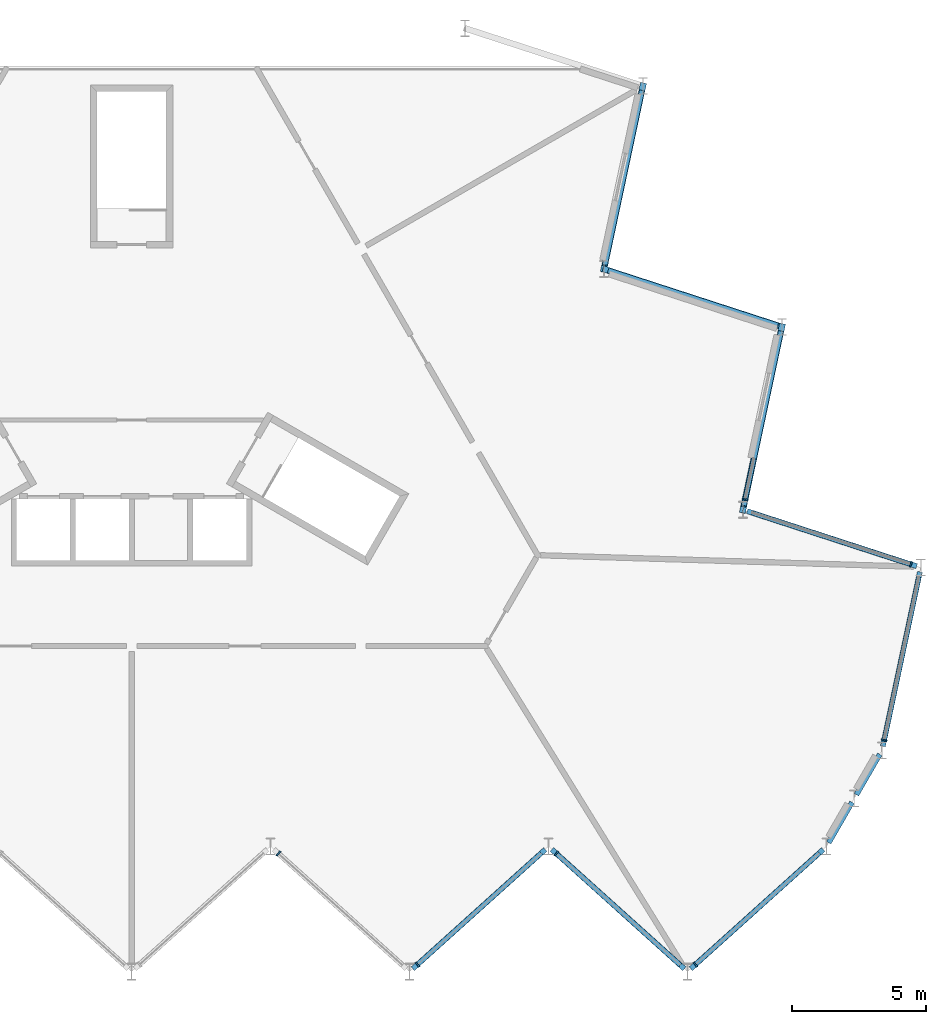
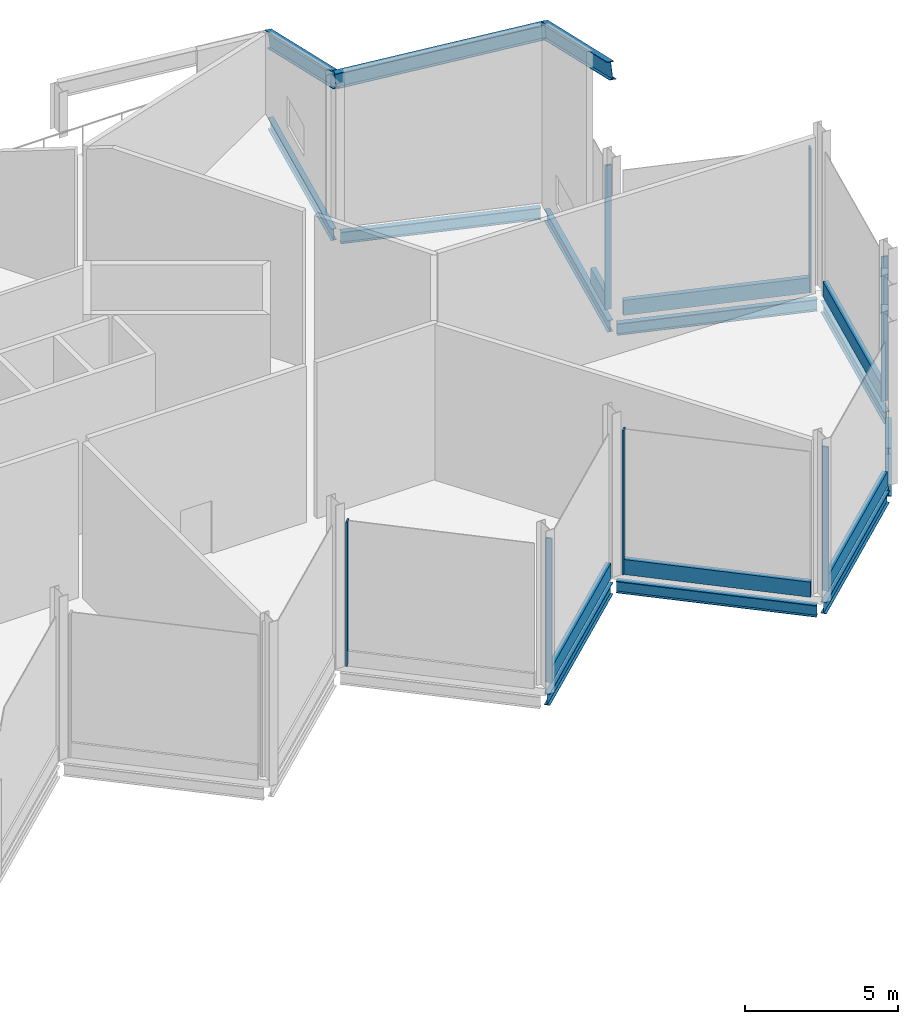
# One storey, part 6 of 10: 16 members, 10 beams, 7 elements without a shape of their own.
"""IFC4 building model written with IfcOpenShell, lengths in metres."""

from ifc_helpers import new_model, si_unit, direction, frame, origin, origin_2d, place, context, subcontext, project, spatial, rectangle, i_section, extrude, material, layer, layer_set, material_profile, profile_set, type_object, element, aggregate, save


model = new_model("IFC4")

# Units and contexts
model_context = context("Model", 3, precision=1e-05, world=origin(), true_north=direction((0.0, 1.0)))
body_context = subcontext(model_context, "Body", "Model", "MODEL_VIEW")
ifc_project = project(units=[si_unit("LENGTHUNIT", "METRE"), si_unit("AREAUNIT", "SQUARE_METRE"), si_unit("VOLUMEUNIT", "CUBIC_METRE"), si_unit("PLANEANGLEUNIT", "RADIAN"), si_unit("MASSUNIT", "GRAM", prefix="KILO")], contexts=[model_context])

# Site, building, storey
site_placement = place(None, origin())
site = spatial("IfcSite", under=ifc_project, at=site_placement, CompositionType="ELEMENT")
building_placement = place(site_placement, origin())
building = spatial("IfcBuilding", under=site, at=building_placement, Name="Cormorant Prow Tower", CompositionType="ELEMENT")
storey_placement = place(building_placement, frame((0.0, 0.0, 441.199951171875)))
storey = spatial("IfcBuildingStorey", under=building, at=storey_placement, Name="L98", CompositionType="ELEMENT", Elevation=441.199951171875)

# Members
ifc_material_1 = material(Name="Structural steel ASTM A992 Gr 50", Category="steel")
ifc_material_profile_1 = material_profile(ifc_material_1, i_section(OverallWidth=0.22900390625, OverallDepth=0.612060546875, WebThickness=0.011962890625, FlangeThickness=0.01953125, at=origin_2d()), Name="W24x84")
ifc_profile_set_1 = profile_set([ifc_material_profile_1], Name="Structural steel ASTM A992 Gr 50")
member_type_1 = type_object("IfcMemberType", Name="Crown frame edge member W24x84", PredefinedType="USERDEFINED", material=ifc_profile_set_1)
member_1_placement = place(storey_placement, frame((24.32861328125, 2.037353515625, 6.68896484375), z_axis=(-0.94228602801, 0.306144437011, -0.135545656902), x_axis=(-0.308996131046, -0.951063294949, 0.0)))
element("IfcMember", 1, at=member_1_placement, inside=storey, type_object=member_type_1, Name="Crown frame edge member CF3 ENE03-ENE04", ObjectType="CROWN FRAME", PredefinedType="USERDEFINED", context=body_context, shape_type="SweptSolid", body=[
    extrude(i_section(OverallWidth=0.22900390625, OverallDepth=0.612060546875, WebThickness=0.011962890625, FlangeThickness=0.01953125, at=origin_2d()), origin(), (0.0, 0.0, 1.0), 7.0625),
])
ifc_material_2 = material(Name="Structural steel ASTM A992 Gr 50", Category="steel")
ifc_material_profile_2 = material_profile(ifc_material_2, i_section(OverallWidth=0.22900390625, OverallDepth=0.612060546875, WebThickness=0.011962890625, FlangeThickness=0.01953125, at=origin_2d()), Name="W24x84")
ifc_profile_set_2 = profile_set([ifc_material_profile_2], Name="Structural steel ASTM A992 Gr 50")
member_type_2 = type_object("IfcMemberType", Name="Crown frame rafter W24x84", PredefinedType="RAFTER", material=ifc_profile_set_2)
for number, where, z_axis, x_axis, name in (
    (2, (22.873779296875, -4.80712890625, 9.732177734375), (0.190791444748, 0.897606671171, -0.397367447687), (-0.978147765396, 0.20791091614, 0.0), "Crown frame rafter CF2 ENE02-ENE03"),
    (3, (17.673828125, 4.199462890625, 5.744873046875), (0.190789017322, 0.897595250987, -0.397394408962), (-0.978147765396, 0.20791091614, 0.0), "Crown frame rafter CF2 ENE04-ENE05"),
):
    element("IfcMember", number, at=place(storey_placement, frame(where, z_axis=z_axis, x_axis=x_axis)), inside=storey, type_object=member_type_2, Name=name, PredefinedType="RAFTER", context=body_context, shape_type="SweptSolid", body=[
        extrude(i_section(OverallWidth=0.22900390625, OverallDepth=0.612060546875, WebThickness=0.011962890625, FlangeThickness=0.01953125, at=origin_2d()), origin(), (0.0, 0.0, 1.0), 7.625244140625),
    ])

# Curtain wall, member
ifc_material_3 = material(Name="Aluminium 6063-T6", Category="aluminium")
ifc_layer = layer(ifc_material_3, 0.219970703125)
ifc_layer_set = layer_set([ifc_layer], Name="Aluminium 6063-T6")
curtain_wall_type = type_object("IfcCurtainWallType", Name="Crown unitised curtain wall 220", PredefinedType="NOTDEFINED", material=ifc_layer_set)
curtain_wall_1_placement = place(storey_placement, origin())
curtain_wall_1 = element("IfcCurtainWall", 4, at=curtain_wall_1_placement, inside=storey, type_object=curtain_wall_type, Name="Crown curtain wall crown S06", PredefinedType="NOTDEFINED")
ifc_material_4 = material(Name="Aluminium 6063-T6", Category="aluminium")
ifc_material_profile_3 = material_profile(ifc_material_4, rectangle(XDim=0.219970703125, YDim=0.06005859375, at=origin_2d()), Name="Crown mullion 60x220")
ifc_profile_set_3 = profile_set([ifc_material_profile_3], Name="Aluminium 6063-T6")
member_type_3 = type_object("IfcMemberType", Name="Crown mullion 60x220", PredefinedType="MULLION", material=ifc_profile_set_3)
member_2_placement = place(storey_placement, frame((5.494384765625, -17.670654296875, 0.0), z_axis=(0.0, 0.0, 1.0), x_axis=(0.669130603959, 0.743144827638, 0.0)))
member_2 = element("IfcMember", 5, at=member_2_placement, type_object=member_type_3, Name="Crown mullion crown S06", PredefinedType="MULLION", context=body_context, shape_type="SweptSolid", body=[
    extrude(rectangle(XDim=0.219970703125, YDim=0.06005859375, at=origin_2d()), origin(), (0.0, 0.0, 1.0), 5.73388671875),
])
aggregate(curtain_wall_1, [member_2])

curtain_wall_2_placement = place(storey_placement, origin())
curtain_wall_2 = element("IfcCurtainWall", 6, at=curtain_wall_2_placement, inside=storey, type_object=curtain_wall_type, Name="Crown curtain wall crown S07", PredefinedType="NOTDEFINED")
member_3_placement = place(storey_placement, frame((10.6943359375, -21.82275390625, 0.0), z_axis=(0.0, 0.0, 1.0), x_axis=(-0.669130603959, 0.743144827638, 0.0)))
member_3 = element("IfcMember", 7, at=member_3_placement, type_object=member_type_3, Name="Crown mullion crown S07", PredefinedType="MULLION", context=body_context, shape_type="SweptSolid", body=[
    extrude(rectangle(XDim=0.219970703125, YDim=0.06005859375, at=origin_2d()), origin(), (0.0, 0.0, 1.0), 5.73388671875),
])

curtain_wall_3_placement = place(storey_placement, origin())
curtain_wall_3 = element("IfcCurtainWall", 8, at=curtain_wall_3_placement, inside=storey, type_object=curtain_wall_type, Name="Crown curtain wall crown S08", PredefinedType="NOTDEFINED")
member_4_placement = place(storey_placement, frame((15.894287109375, -17.670654296875, 0.0), z_axis=(0.0, 0.0, 1.0), x_axis=(0.669130603959, 0.743144827638, 0.0)))
member_4 = element("IfcMember", 9, at=member_4_placement, type_object=member_type_3, Name="Crown mullion crown S08", PredefinedType="MULLION", context=body_context, shape_type="SweptSolid", body=[
    extrude(rectangle(XDim=0.219970703125, YDim=0.06005859375, at=origin_2d()), origin(), (0.0, 0.0, 1.0), 5.73388671875),
])

curtain_wall_4_placement = place(storey_placement, origin())
curtain_wall_4 = element("IfcCurtainWall", 10, at=curtain_wall_4_placement, inside=storey, type_object=curtain_wall_type, Name="Crown curtain wall crown S09", PredefinedType="NOTDEFINED")
member_5_placement = place(storey_placement, frame((21.09423828125, -21.82275390625, 0.0), z_axis=(0.0, 0.0, 1.0), x_axis=(-0.669130603959, 0.743144827638, 0.0)))
member_5 = element("IfcMember", 11, at=member_5_placement, type_object=member_type_3, Name="Crown mullion crown S09", PredefinedType="MULLION", context=body_context, shape_type="SweptSolid", body=[
    extrude(rectangle(XDim=0.219970703125, YDim=0.06005859375, at=origin_2d()), origin(), (0.0, 0.0, 1.0), 5.73388671875),
])

curtain_wall_5_placement = place(storey_placement, origin())
curtain_wall_5 = element("IfcCurtainWall", 12, at=curtain_wall_5_placement, inside=storey, type_object=curtain_wall_type, Name="Crown curtain wall crown ENE00", PredefinedType="NOTDEFINED")
member_6_placement = place(storey_placement, frame((28.15625, -13.426513671875, 0.0), z_axis=(0.0, 0.0, 1.0), x_axis=(-0.978147615768, 0.207911620089, 0.0)))
member_6 = element("IfcMember", 13, at=member_6_placement, type_object=member_type_3, Name="Crown mullion crown ENE00", PredefinedType="MULLION", context=body_context, shape_type="SweptSolid", body=[
    extrude(rectangle(XDim=0.219970703125, YDim=0.06005859375, at=origin_2d()), origin(), (0.0, 0.0, 1.0), 5.73388671875),
])

curtain_wall_6_placement = place(storey_placement, origin())
curtain_wall_6 = element("IfcCurtainWall", 14, at=curtain_wall_6_placement, inside=storey, type_object=curtain_wall_type, Name="Crown curtain wall crown ENE01", PredefinedType="NOTDEFINED")
member_7_placement = place(storey_placement, frame((29.152099609375, -6.846923828125, 0.0), z_axis=(0.0, 0.0, 1.0), x_axis=(-0.309016937108, -0.951056534902, 0.0)))
member_7 = element("IfcMember", 15, at=member_7_placement, type_object=member_type_3, Name="Crown mullion crown ENE01", PredefinedType="MULLION", context=body_context, shape_type="SweptSolid", body=[
    extrude(rectangle(XDim=0.219970703125, YDim=0.06005859375, at=origin_2d()), origin(), (0.0, 0.0, 1.0), 5.73388671875),
])

curtain_wall_7_placement = place(storey_placement, origin())
curtain_wall_7 = element("IfcCurtainWall", 16, at=curtain_wall_7_placement, inside=storey, type_object=curtain_wall_type, Name="Crown curtain wall crown ENE02", PredefinedType="NOTDEFINED")
member_8_placement = place(storey_placement, frame((22.9560546875, -4.419677734375, 0.0), z_axis=(0.0, 0.0, 1.0), x_axis=(-0.978147615768, 0.207911620089, 0.0)))
member_8 = element("IfcMember", 17, at=member_8_placement, type_object=member_type_3, Name="Crown mullion crown ENE02", PredefinedType="MULLION", context=body_context, shape_type="SweptSolid", body=[
    extrude(rectangle(XDim=0.219970703125, YDim=0.06005859375, at=origin_2d()), origin(), (0.0, 0.0, 1.0), 5.73388671875),
])

# Beams
ifc_material_5 = material(Name="Structural steel ASTM A992 Gr 50", Category="steel")
ifc_material_profile_4 = material_profile(ifc_material_5, i_section(OverallWidth=0.19287109375, OverallDepth=0.466064453125, WebThickness=0.011474609375, FlangeThickness=0.01904296875, at=origin_2d()), Name="W18x65")
ifc_profile_set_4 = profile_set([ifc_material_profile_4], Name="Structural steel ASTM A992 Gr 50")
beam_type = type_object("IfcBeamType", Name="Crown ring beam W18x65", PredefinedType="SPANDREL", material=ifc_profile_set_4)
beam_1_placement = place(storey_placement, frame((10.521240234375, -21.978515625, -0.532958984375), z_axis=(0.743155826906, 0.669118387832, 0.0), x_axis=(-0.669118387832, 0.743155826906, 0.0)))
element("IfcBeam", 18, at=beam_1_placement, inside=storey, type_object=beam_type, Name="Crown ring beam SB5 S07-S08 L98", PredefinedType="SPANDREL", context=body_context, shape_type="SweptSolid", body=[
    extrude(i_section(OverallWidth=0.19287109375, OverallDepth=0.466064453125, WebThickness=0.011474609375, FlangeThickness=0.01904296875, at=origin_2d()), origin(), (0.0, 0.0, 1.0), 6.6708984375),
])
for number, where, z_axis, x_axis, name in (
    (19, (15.721435546875, -17.514892578125, -0.532958984375), (0.743139440672, -0.669136586743, 0.0), (0.669136586743, 0.743139440672, 0.0), "Crown ring beam SB5 S08-S09 L98"),
    (20, (20.92138671875, -21.978515625, -0.532958984375), (0.743139440672, 0.669136586743, 0.0), (-0.669136586743, 0.743139440672, 0.0), "Crown ring beam SB5 S09-ESE00 L98"),
):
    element("IfcBeam", number, at=place(storey_placement, frame(where, z_axis=z_axis, x_axis=x_axis)), inside=storey, type_object=beam_type, Name=name, PredefinedType="SPANDREL", context=body_context, shape_type="SweptSolid", body=[
        extrude(i_section(OverallWidth=0.19287109375, OverallDepth=0.466064453125, WebThickness=0.011474609375, FlangeThickness=0.01904296875, at=origin_2d()), origin(), (0.0, 0.0, 1.0), 6.670654296875),
    ])
for number, where, z_axis, x_axis, name in (
    (21, (26.08154296875, -17.264404296875, -0.532958984375), (0.500061095026, 0.865990127681, 0.0), (-0.865990127681, 0.500061095026, 0.0), "Crown ring beam SB5 ESE00-ESE01 L98"),
    (22, (27.118408203125, -15.46826171875, -0.532958984375), (0.500061095026, 0.865990127681, 0.0), (-0.865990127681, 0.500061095026, 0.0), "Crown ring beam SB5 ESE01-ENE00 L98"),
):
    element("IfcBeam", number, at=place(storey_placement, frame(where, z_axis=z_axis, x_axis=x_axis)), inside=storey, type_object=beam_type, Name=name, PredefinedType="SPANDREL", context=body_context, shape_type="SweptSolid", body=[
        extrude(i_section(OverallWidth=0.19287109375, OverallDepth=0.466064453125, WebThickness=0.011474609375, FlangeThickness=0.01904296875, at=origin_2d()), origin(), (0.0, 0.0, 1.0), 1.747314453125),
    ])
for number, where, z_axis, x_axis, name in (
    (23, (28.107666015625, -13.654052734375, -0.532958984375), (0.207919161079, 0.978146012851, 0.0), (-0.978146012851, 0.207919161079, 0.0), "Crown ring beam SB5 ENE00-ENE01 L98"),
    (24, (29.373291015625, -6.9189453125, -0.532958984375), (-0.95106042314, 0.309004970083, 0.0), (-0.309004970083, -0.95106042314, 0.0), "Crown ring beam SB5 ENE01-ENE02 L98"),
):
    element("IfcBeam", number, at=place(storey_placement, frame(where, z_axis=z_axis, x_axis=x_axis)), inside=storey, type_object=beam_type, Name=name, PredefinedType="SPANDREL", context=body_context, shape_type="SweptSolid", body=[
        extrude(i_section(OverallWidth=0.19287109375, OverallDepth=0.466064453125, WebThickness=0.011474609375, FlangeThickness=0.01904296875, at=origin_2d()), origin(), (0.0, 0.0, 1.0), 6.670654296875),
    ])
beam_2_placement = place(storey_placement, frame((22.90771484375, -4.6474609375, -0.532958984375), z_axis=(0.207911717999, 0.978147594956, 0.0), x_axis=(-0.978147594956, 0.207911717999, 0.0)))
element("IfcBeam", 25, at=beam_2_placement, inside=storey, type_object=beam_type, Name="Crown ring beam SB5 ENE02-ENE03 L98", PredefinedType="SPANDREL", context=body_context, shape_type="SweptSolid", body=[
    extrude(i_section(OverallWidth=0.19287109375, OverallDepth=0.466064453125, WebThickness=0.011474609375, FlangeThickness=0.01904296875, at=origin_2d()), origin(), (0.0, 0.0, 1.0), 6.6708984375),
])
beam_3_placement = place(storey_placement, frame((24.17333984375, 2.087646484375, -0.532958984375), z_axis=(-0.951049666898, 0.309038073858, 0.0), x_axis=(-0.309038073858, -0.951049666898, 0.0)))
element("IfcBeam", 26, at=beam_3_placement, inside=storey, type_object=beam_type, Name="Crown ring beam SB5 ENE03-ENE04 L98", PredefinedType="SPANDREL", context=body_context, shape_type="SweptSolid", body=[
    extrude(i_section(OverallWidth=0.19287109375, OverallDepth=0.466064453125, WebThickness=0.011474609375, FlangeThickness=0.01904296875, at=origin_2d()), origin(), (0.0, 0.0, 1.0), 6.670654296875),
])
beam_4_placement = place(storey_placement, frame((17.707763671875, 4.359130859375, -0.532958984375), z_axis=(0.207911717999, 0.978147594956, 0.0), x_axis=(-0.978147594956, 0.207911717999, 0.0)))
element("IfcBeam", 27, at=beam_4_placement, inside=storey, type_object=beam_type, Name="Crown ring beam SB5 ENE04-ENE05 L98", PredefinedType="SPANDREL", context=body_context, shape_type="SweptSolid", body=[
    extrude(i_section(OverallWidth=0.19287109375, OverallDepth=0.466064453125, WebThickness=0.011474609375, FlangeThickness=0.01904296875, at=origin_2d()), origin(), (0.0, 0.0, 1.0), 6.6708984375),
])

# Member
ifc_material_6 = material(Name="Terracotta", Category="masonry")
ifc_material_profile_5 = material_profile(ifc_material_6, rectangle(XDim=0.179931640625, YDim=0.60009765625, at=origin_2d()), Name="Crown terracotta spandrel rail 180x600")
ifc_profile_set_5 = profile_set([ifc_material_profile_5], Name="Terracotta")
member_type_4 = type_object("IfcMemberType", Name="Crown terracotta spandrel rail 180x600", PredefinedType="USERDEFINED", material=ifc_profile_set_5)
member_9_placement = place(storey_placement, frame((10.716552734375, -21.802734375, 0.300048828125), z_axis=(0.743159145999, 0.669114701466, 0.0), x_axis=(-0.669114701466, 0.743159145999, 0.0)))
member_9 = element("IfcMember", 28, at=member_9_placement, type_object=member_type_4, Name="Crown spandrel rail crown S07", ObjectType="TRANSOM", PredefinedType="USERDEFINED", context=body_context, shape_type="SweptSolid", body=[
    extrude(rectangle(XDim=0.179931640625, YDim=0.60009765625, at=origin_2d()), origin(), (0.0, 0.0, 1.0), 6.205322265625),
])

aggregate(curtain_wall_2, [member_3, member_9])

member_10_placement = place(storey_placement, frame((15.91650390625, -17.690673828125, 0.300048828125), z_axis=(0.743139582304, -0.669136429447, 0.0), x_axis=(0.669136429447, 0.743139582304, 0.0)))
member_10 = element("IfcMember", 29, at=member_10_placement, type_object=member_type_4, Name="Crown spandrel rail crown S08", ObjectType="TRANSOM", PredefinedType="USERDEFINED", context=body_context, shape_type="SweptSolid", body=[
    extrude(rectangle(XDim=0.179931640625, YDim=0.60009765625, at=origin_2d()), origin(), (0.0, 0.0, 1.0), 6.20556640625),
])

aggregate(curtain_wall_3, [member_4, member_10])

member_11_placement = place(storey_placement, frame((21.11669921875, -21.802734375, 0.300048828125), z_axis=(0.743141530577, 0.669134265699, 0.0), x_axis=(-0.669134265699, 0.743141530577, 0.0)))
member_11 = element("IfcMember", 30, at=member_11_placement, type_object=member_type_4, Name="Crown spandrel rail crown S09", ObjectType="TRANSOM", PredefinedType="USERDEFINED", context=body_context, shape_type="SweptSolid", body=[
    extrude(rectangle(XDim=0.179931640625, YDim=0.60009765625, at=origin_2d()), origin(), (0.0, 0.0, 1.0), 6.205078125),
])

aggregate(curtain_wall_4, [member_5, member_11])

member_12_placement = place(storey_placement, frame((28.162353515625, -13.397216796875, 0.300048828125), z_axis=(0.207927454003, 0.978144250033, 0.0), x_axis=(-0.978144250033, 0.207927454003, 0.0)))
member_12 = element("IfcMember", 31, at=member_12_placement, type_object=member_type_4, Name="Crown spandrel rail crown ENE00", ObjectType="TRANSOM", PredefinedType="USERDEFINED", context=body_context, shape_type="SweptSolid", body=[
    extrude(rectangle(XDim=0.179931640625, YDim=0.60009765625, at=origin_2d()), origin(), (0.0, 0.0, 1.0), 6.20556640625),
])

aggregate(curtain_wall_5, [member_6, member_12])

member_13_placement = place(storey_placement, frame((29.12353515625, -6.837890625, 0.300048828125), z_axis=(-0.951048234918, 0.309042480672, 0.0), x_axis=(-0.309042480672, -0.951048234918, 0.0)))
member_13 = element("IfcMember", 32, at=member_13_placement, type_object=member_type_4, Name="Crown spandrel rail crown ENE01", ObjectType="TRANSOM", PredefinedType="USERDEFINED", context=body_context, shape_type="SweptSolid", body=[
    extrude(rectangle(XDim=0.179931640625, YDim=0.60009765625, at=origin_2d()), origin(), (0.0, 0.0, 1.0), 6.205322265625),
])

aggregate(curtain_wall_6, [member_7, member_13])

member_14_placement = place(storey_placement, frame((22.96240234375, -4.390380859375, 0.300048828125), z_axis=(0.207932904833, 0.978143091315, 0.0), x_axis=(-0.978143091315, 0.207932904833, 0.0)))
member_14 = element("IfcMember", 33, at=member_14_placement, type_object=member_type_4, Name="Crown spandrel rail crown ENE02", ObjectType="TRANSOM", PredefinedType="USERDEFINED", context=body_context, shape_type="SweptSolid", body=[
    extrude(rectangle(XDim=0.179931640625, YDim=0.60009765625, at=origin_2d()), origin(), (0.0, 0.0, 1.0), 1.53564453125),
])

aggregate(curtain_wall_7, [member_8, member_14])

save(model, "model.ifc")
